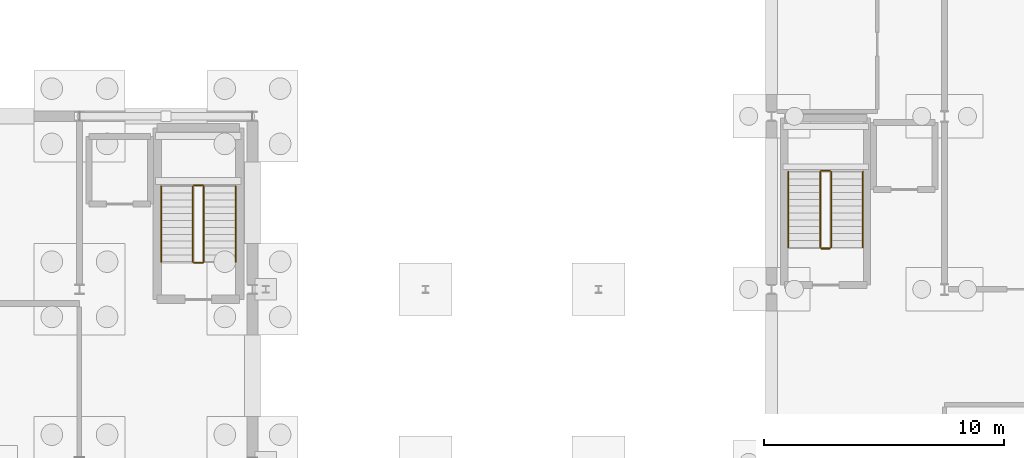
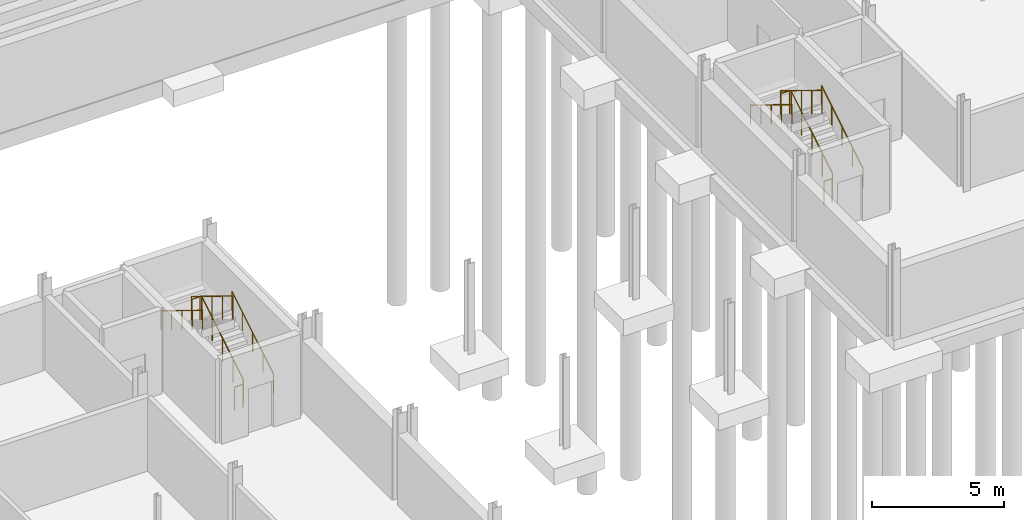
# One storey, part 48 of 50: 12 railings.
"""IFC4 building model written with IfcOpenShell, lengths in metres."""

from ifc_helpers import new_model, si_unit, direction, frame, origin, origin_2d, place, context, subcontext, project, spatial, circle, extrude, material, layer, layer_set, type_object, element, save


model = new_model("IFC4")

# Units and contexts
model_context = context("Model", 3, precision=1e-05, world=origin(), true_north=direction((0.0, 1.0)))
body_context = subcontext(model_context, "Body", "Model", "MODEL_VIEW")
ifc_project = project(units=[si_unit("LENGTHUNIT", "METRE"), si_unit("AREAUNIT", "SQUARE_METRE"), si_unit("VOLUMEUNIT", "CUBIC_METRE"), si_unit("PLANEANGLEUNIT", "RADIAN"), si_unit("MASSUNIT", "GRAM", prefix="KILO")], contexts=[model_context])

# Site, building, storey
site_placement = place(None, origin())
site = spatial("IfcSite", under=ifc_project, at=site_placement, CompositionType="ELEMENT")
building_placement = place(site_placement, origin())
building = spatial("IfcBuilding", under=site, at=building_placement, Name="Narikvali Park Central Library", CompositionType="ELEMENT")
storey_placement = place(building_placement, frame((0.0, 0.0, -4.199951171875)))
storey = spatial("IfcBuildingStorey", under=building, at=storey_placement, Name="B1", CompositionType="ELEMENT", Elevation=-4.199951171875)

# Railings
ifc_material_1 = material(Name="Brushed Stainless Steel S355", Category="steel")
ifc_layer_1 = layer(ifc_material_1, 0.044921875, Name="Brushed Stainless Steel S355")
ifc_layer_set_1 = layer_set([ifc_layer_1], Name="Brushed Stainless Steel S355")
railing_type_1 = type_object("IfcRailingType", Name="Stair Tubular Steel Handrail 900", PredefinedType="HANDRAIL", material=ifc_layer_set_1)
railing_1_placement = place(storey_placement, frame((100.10009765625, 87.550048828125, 0.175048828125)))
element("IfcRailing", 1, at=railing_1_placement, inside=storey, type_object=railing_type_1, Name="B1 ST-02 stair handrail 1", PredefinedType="HANDRAIL", context=body_context, shape_type="SweptSolid", body=[
    extrude(circle(Radius=0.02392578125, at=origin_2d()), frame((0.0, 0.0, 0.8759765625), z_axis=(0.0, 0.852195625947, 0.523223293744), x_axis=(-1.0, 0.0, 0.0)), (0.0, 0.0, 1.0), 3.6787109375),
    extrude(circle(Radius=0.02099609375, at=origin_2d()), origin(), (0.0, 0.0, 1.0), 0.851806640625),
    extrude(circle(Radius=0.02099609375, at=origin_2d()), frame((0.0, 0.78369140625, 0.481201171875)), (0.0, 0.0, 1.0), 0.851806640625),
    extrude(circle(Radius=0.02099609375, at=origin_2d()), frame((0.0, 1.5673828125, 0.96240234375)), (0.0, 0.0, 1.0), 0.851806640625),
    extrude(circle(Radius=0.02099609375, at=origin_2d()), frame((0.0, 2.351318359375, 1.443603515625)), (0.0, 0.0, 1.0), 0.851806640625),
    extrude(circle(Radius=0.02099609375, at=origin_2d()), frame((0.0, 3.135009765625, 1.9248046875)), (0.0, 0.0, 1.0), 0.851806640625),
])
railing_2_placement = place(storey_placement, frame((97.0, 90.68505859375, 2.27490234375)))
element("IfcRailing", 2, at=railing_2_placement, inside=storey, type_object=railing_type_1, Name="B1 ST-02 stair handrail 2", PredefinedType="HANDRAIL", context=body_context, shape_type="SweptSolid", body=[
    extrude(circle(Radius=0.02392578125, at=origin_2d()), frame((0.0, 0.0, 0.8759765625), z_axis=(0.0, -0.852166034122, 0.523271488128), x_axis=(1.0, 0.0, 0.0)), (0.0, 0.0, 1.0), 3.678955078125),
    extrude(circle(Radius=0.02099609375, at=origin_2d()), origin(), (0.0, 0.0, 1.0), 0.851806640625),
    extrude(circle(Radius=0.02099609375, at=origin_2d()), frame((0.0, -0.78369140625, 0.481201171875)), (0.0, 0.0, 1.0), 0.851806640625),
    extrude(circle(Radius=0.02099609375, at=origin_2d()), frame((0.0, -1.5673828125, 0.96240234375)), (0.0, 0.0, 1.0), 0.851806640625),
    extrude(circle(Radius=0.02099609375, at=origin_2d()), frame((0.0, -2.351318359375, 1.44384765625)), (0.0, 0.0, 1.0), 0.851806640625),
    extrude(circle(Radius=0.02099609375, at=origin_2d()), frame((0.0, -3.135009765625, 1.925048828125)), (0.0, 0.0, 1.0), 0.851806640625),
])
railing_3_placement = place(storey_placement, frame((126.199951171875, 88.14990234375, 0.175048828125)))
element("IfcRailing", 3, at=railing_3_placement, inside=storey, type_object=railing_type_1, Name="B1 ST-05 stair handrail 1", PredefinedType="HANDRAIL", context=body_context, shape_type="SweptSolid", body=[
    extrude(circle(Radius=0.02392578125, at=origin_2d()), frame((0.0, 0.0, 0.8759765625), z_axis=(0.0, 0.852195625947, 0.523223293744), x_axis=(-1.0, 0.0, 0.0)), (0.0, 0.0, 1.0), 3.6787109375),
    extrude(circle(Radius=0.02099609375, at=origin_2d()), origin(), (0.0, 0.0, 1.0), 0.851806640625),
    extrude(circle(Radius=0.02099609375, at=origin_2d()), frame((0.0, 0.78369140625, 0.481201171875)), (0.0, 0.0, 1.0), 0.851806640625),
    extrude(circle(Radius=0.02099609375, at=origin_2d()), frame((0.0, 1.5673828125, 0.96240234375)), (0.0, 0.0, 1.0), 0.851806640625),
    extrude(circle(Radius=0.02099609375, at=origin_2d()), frame((0.0, 2.351318359375, 1.443603515625)), (0.0, 0.0, 1.0), 0.851806640625),
    extrude(circle(Radius=0.02099609375, at=origin_2d()), frame((0.0, 3.135009765625, 1.9248046875)), (0.0, 0.0, 1.0), 0.851806640625),
])
railing_4_placement = place(storey_placement, frame((123.10009765625, 91.284912109375, 2.27490234375)))
element("IfcRailing", 4, at=railing_4_placement, inside=storey, type_object=railing_type_1, Name="B1 ST-05 stair handrail 2", PredefinedType="HANDRAIL", context=body_context, shape_type="SweptSolid", body=[
    extrude(circle(Radius=0.02392578125, at=origin_2d()), frame((0.0, 0.0, 0.8759765625), z_axis=(0.0, -0.852166034122, 0.523271488128), x_axis=(1.0, 0.0, 0.0)), (0.0, 0.0, 1.0), 3.678955078125),
    extrude(circle(Radius=0.02099609375, at=origin_2d()), origin(), (0.0, 0.0, 1.0), 0.851806640625),
    extrude(circle(Radius=0.02099609375, at=origin_2d()), frame((0.0, -0.78369140625, 0.481201171875)), (0.0, 0.0, 1.0), 0.851806640625),
    extrude(circle(Radius=0.02099609375, at=origin_2d()), frame((0.0, -1.5673828125, 0.96240234375)), (0.0, 0.0, 1.0), 0.851806640625),
    extrude(circle(Radius=0.02099609375, at=origin_2d()), frame((0.0, -2.351318359375, 1.44384765625)), (0.0, 0.0, 1.0), 0.851806640625),
    extrude(circle(Radius=0.02099609375, at=origin_2d()), frame((0.0, -3.135009765625, 1.925048828125)), (0.0, 0.0, 1.0), 0.851806640625),
])
ifc_material_2 = material(Name="Powder-Coated Steel S275", Category="steel")
ifc_layer_2 = layer(ifc_material_2, 0.050048828125, Name="Powder-Coated Steel S275")
ifc_layer_set_2 = layer_set([ifc_layer_2], Name="Powder-Coated Steel S275")
railing_type_2 = type_object("IfcRailingType", Name="Stair Well Steel Guardrail 1100", PredefinedType="GUARDRAIL", material=ifc_layer_set_2)
railing_5_placement = place(storey_placement, frame((98.780029296875, 87.550048828125, 0.175048828125)))
element("IfcRailing", 5, at=railing_5_placement, inside=storey, type_object=railing_type_2, Name="B1 ST-02 stair guard 1", PredefinedType="GUARDRAIL", context=body_context, shape_type="SweptSolid", body=[
    extrude(circle(Radius=0.02392578125, at=origin_2d()), frame((0.0, 0.0, 1.076171875), z_axis=(0.0, 0.852195625947, 0.523223293744), x_axis=(-1.0, 0.0, 0.0)), (0.0, 0.0, 1.0), 3.6787109375),
    extrude(circle(Radius=0.02099609375, at=origin_2d()), origin(), (0.0, 0.0, 1.0), 1.052001953125),
    extrude(circle(Radius=0.02099609375, at=origin_2d()), frame((0.0, 0.78369140625, 0.481201171875)), (0.0, 0.0, 1.0), 1.052001953125),
    extrude(circle(Radius=0.02099609375, at=origin_2d()), frame((0.0, 1.5673828125, 0.96240234375)), (0.0, 0.0, 1.0), 1.052001953125),
    extrude(circle(Radius=0.02099609375, at=origin_2d()), frame((0.0, 2.351318359375, 1.443603515625)), (0.0, 0.0, 1.0), 1.052001953125),
    extrude(circle(Radius=0.02099609375, at=origin_2d()), frame((0.0, 3.135009765625, 1.9248046875)), (0.0, 0.0, 1.0), 1.052001953125),
])
railing_6_placement = place(storey_placement, frame((98.72998046875, 90.735107421875, 2.099853515625)))
element("IfcRailing", 6, at=railing_6_placement, inside=storey, type_object=railing_type_2, Name="B1 ST-02 stair guard 2", PredefinedType="GUARDRAIL", context=body_context, shape_type="SweptSolid", body=[
    extrude(circle(Radius=0.02392578125, at=origin_2d()), frame((0.0, 0.0, 1.076171875), z_axis=(-1.0, 0.0, 0.0), x_axis=(0.0, -1.0, 0.0)), (0.0, 0.0, 1.0), 0.35986328125),
    extrude(circle(Radius=0.02099609375, at=origin_2d()), origin(), (0.0, 0.0, 1.0), 1.052001953125),
    extrude(circle(Radius=0.02099609375, at=origin_2d()), frame((-0.35986328125, 0.0, 0.0)), (0.0, 0.0, 1.0), 1.052001953125),
])
railing_7_placement = place(storey_placement, frame((98.320068359375, 90.68505859375, 2.27490234375)))
element("IfcRailing", 7, at=railing_7_placement, inside=storey, type_object=railing_type_2, Name="B1 ST-02 stair guard 3", PredefinedType="GUARDRAIL", context=body_context, shape_type="SweptSolid", body=[
    extrude(circle(Radius=0.02392578125, at=origin_2d()), frame((0.0, 0.0, 1.076171875), z_axis=(0.0, -0.852166034122, 0.523271488128), x_axis=(1.0, 0.0, 0.0)), (0.0, 0.0, 1.0), 3.678955078125),
    extrude(circle(Radius=0.02099609375, at=origin_2d()), origin(), (0.0, 0.0, 1.0), 1.052001953125),
    extrude(circle(Radius=0.02099609375, at=origin_2d()), frame((0.0, -0.78369140625, 0.481201171875)), (0.0, 0.0, 1.0), 1.052001953125),
    extrude(circle(Radius=0.02099609375, at=origin_2d()), frame((0.0, -1.5673828125, 0.96240234375)), (0.0, 0.0, 1.0), 1.052001953125),
    extrude(circle(Radius=0.02099609375, at=origin_2d()), frame((0.0, -2.351318359375, 1.44384765625)), (0.0, 0.0, 1.0), 1.052001953125),
    extrude(circle(Radius=0.02099609375, at=origin_2d()), frame((0.0, -3.135009765625, 1.925048828125)), (0.0, 0.0, 1.0), 1.052001953125),
])
railing_8_placement = place(storey_placement, frame((98.72998046875, 87.5, 0.0)))
element("IfcRailing", 8, at=railing_8_placement, inside=storey, type_object=railing_type_2, Name="B1 ST-02 stair guard 4", PredefinedType="GUARDRAIL", context=body_context, shape_type="SweptSolid", body=[
    extrude(circle(Radius=0.02392578125, at=origin_2d()), frame((0.0, 0.0, 1.076171875), z_axis=(-1.0, 0.0, 0.0), x_axis=(0.0, -1.0, 0.0)), (0.0, 0.0, 1.0), 0.35986328125),
    extrude(circle(Radius=0.02099609375, at=origin_2d()), origin(), (0.0, 0.0, 1.0), 1.052001953125),
    extrude(circle(Radius=0.02099609375, at=origin_2d()), frame((-0.35986328125, 0.0, 0.0)), (0.0, 0.0, 1.0), 1.052001953125),
])
railing_9_placement = place(storey_placement, frame((124.8798828125, 88.14990234375, 0.175048828125)))
element("IfcRailing", 9, at=railing_9_placement, inside=storey, type_object=railing_type_2, Name="B1 ST-05 stair guard 1", PredefinedType="GUARDRAIL", context=body_context, shape_type="SweptSolid", body=[
    extrude(circle(Radius=0.02392578125, at=origin_2d()), frame((0.0, 0.0, 1.076171875), z_axis=(0.0, 0.852195625947, 0.523223293744), x_axis=(-1.0, 0.0, 0.0)), (0.0, 0.0, 1.0), 3.6787109375),
    extrude(circle(Radius=0.02099609375, at=origin_2d()), origin(), (0.0, 0.0, 1.0), 1.052001953125),
    extrude(circle(Radius=0.02099609375, at=origin_2d()), frame((0.0, 0.78369140625, 0.481201171875)), (0.0, 0.0, 1.0), 1.052001953125),
    extrude(circle(Radius=0.02099609375, at=origin_2d()), frame((0.0, 1.5673828125, 0.96240234375)), (0.0, 0.0, 1.0), 1.052001953125),
    extrude(circle(Radius=0.02099609375, at=origin_2d()), frame((0.0, 2.351318359375, 1.443603515625)), (0.0, 0.0, 1.0), 1.052001953125),
    extrude(circle(Radius=0.02099609375, at=origin_2d()), frame((0.0, 3.135009765625, 1.9248046875)), (0.0, 0.0, 1.0), 1.052001953125),
])
railing_10_placement = place(storey_placement, frame((124.830078125, 91.3349609375, 2.099853515625)))
element("IfcRailing", 10, at=railing_10_placement, inside=storey, type_object=railing_type_2, Name="B1 ST-05 stair guard 2", PredefinedType="GUARDRAIL", context=body_context, shape_type="SweptSolid", body=[
    extrude(circle(Radius=0.02392578125, at=origin_2d()), frame((0.0, 0.0, 1.076171875), z_axis=(-1.0, 0.0, 0.0), x_axis=(0.0, -1.0, 0.0)), (0.0, 0.0, 1.0), 0.360107421875),
    extrude(circle(Radius=0.02099609375, at=origin_2d()), origin(), (0.0, 0.0, 1.0), 1.052001953125),
    extrude(circle(Radius=0.02099609375, at=origin_2d()), frame((-0.360107421875, 0.0, 0.0)), (0.0, 0.0, 1.0), 1.052001953125),
])
railing_11_placement = place(storey_placement, frame((124.419921875, 91.284912109375, 2.27490234375)))
element("IfcRailing", 11, at=railing_11_placement, inside=storey, type_object=railing_type_2, Name="B1 ST-05 stair guard 3", PredefinedType="GUARDRAIL", context=body_context, shape_type="SweptSolid", body=[
    extrude(circle(Radius=0.02392578125, at=origin_2d()), frame((0.0, 0.0, 1.076171875), z_axis=(0.0, -0.852166034122, 0.523271488128), x_axis=(1.0, 0.0, 0.0)), (0.0, 0.0, 1.0), 3.678955078125),
    extrude(circle(Radius=0.02099609375, at=origin_2d()), origin(), (0.0, 0.0, 1.0), 1.052001953125),
    extrude(circle(Radius=0.02099609375, at=origin_2d()), frame((0.0, -0.78369140625, 0.481201171875)), (0.0, 0.0, 1.0), 1.052001953125),
    extrude(circle(Radius=0.02099609375, at=origin_2d()), frame((0.0, -1.5673828125, 0.96240234375)), (0.0, 0.0, 1.0), 1.052001953125),
    extrude(circle(Radius=0.02099609375, at=origin_2d()), frame((0.0, -2.351318359375, 1.44384765625)), (0.0, 0.0, 1.0), 1.052001953125),
    extrude(circle(Radius=0.02099609375, at=origin_2d()), frame((0.0, -3.135009765625, 1.925048828125)), (0.0, 0.0, 1.0), 1.052001953125),
])
railing_12_placement = place(storey_placement, frame((124.830078125, 88.10009765625, 0.0)))
element("IfcRailing", 12, at=railing_12_placement, inside=storey, type_object=railing_type_2, Name="B1 ST-05 stair guard 4", PredefinedType="GUARDRAIL", context=body_context, shape_type="SweptSolid", body=[
    extrude(circle(Radius=0.02392578125, at=origin_2d()), frame((0.0, 0.0, 1.076171875), z_axis=(-1.0, 0.0, 0.0), x_axis=(0.0, -1.0, 0.0)), (0.0, 0.0, 1.0), 0.360107421875),
    extrude(circle(Radius=0.02099609375, at=origin_2d()), origin(), (0.0, 0.0, 1.0), 1.052001953125),
    extrude(circle(Radius=0.02099609375, at=origin_2d()), frame((-0.360107421875, 0.0, 0.0)), (0.0, 0.0, 1.0), 1.052001953125),
])

save(model, "model.ifc")
